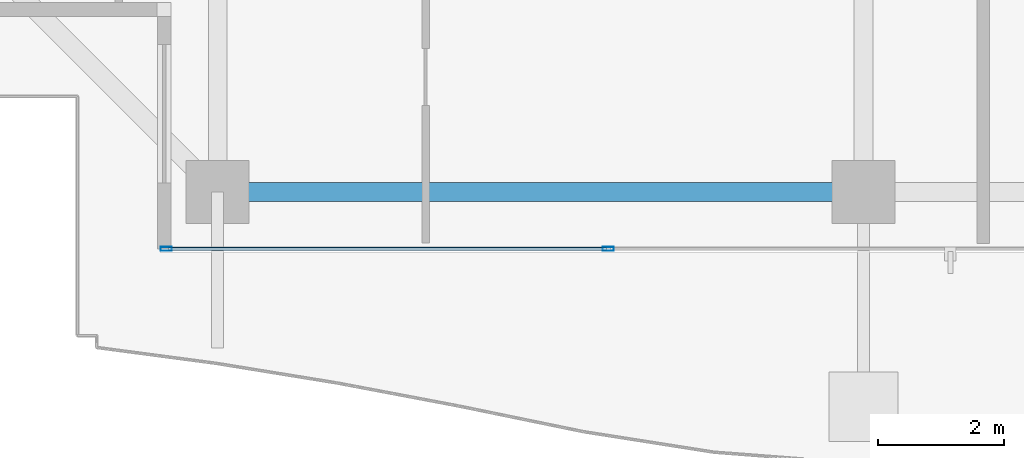
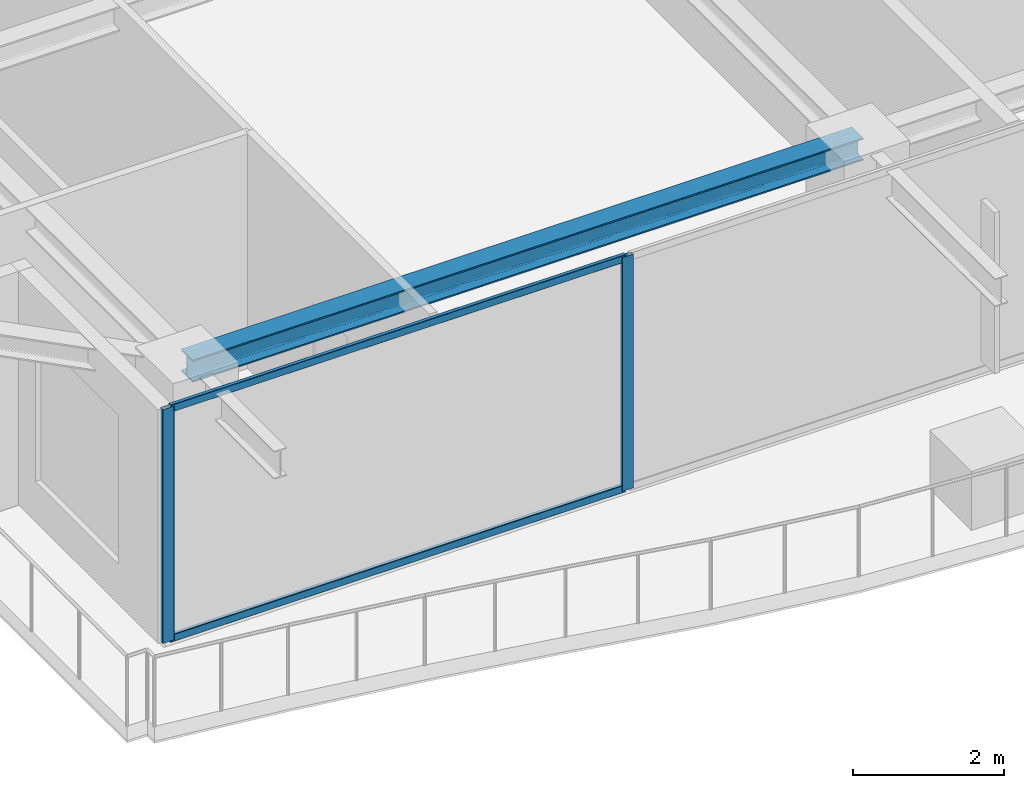
# One storey, part 2 of 41: 4 members, 1 beam, 1 element without a shape of its own.
"""IFC4 building model written with IfcOpenShell, lengths in metres."""

from ifc_helpers import new_model, si_unit, direction, frame, origin, origin_2d, place, context, subcontext, project, spatial, hollow_rectangle, i_section, extrude, source, transform, mapped, material, layer, layer_set, material_profile, profile_set, type_object, element, aggregate, save


model = new_model("IFC4")

# Units and contexts
model_context = context("Model", 3, precision=1e-05, world=origin(), true_north=direction((0.0, 1.0)))
body_context = subcontext(model_context, "Body", "Model", "MODEL_VIEW")
ifc_project = project(units=[si_unit("LENGTHUNIT", "METRE"), si_unit("AREAUNIT", "SQUARE_METRE"), si_unit("VOLUMEUNIT", "CUBIC_METRE"), si_unit("PLANEANGLEUNIT", "RADIAN"), si_unit("MASSUNIT", "GRAM", prefix="KILO")], contexts=[model_context])

# Site, building, storey
site_placement = place(None, origin())
site = spatial("IfcSite", under=ifc_project, at=site_placement, CompositionType="ELEMENT")
building_placement = place(site_placement, origin())
building = spatial("IfcBuilding", under=site, at=building_placement, Name="Serunith Strait Residences", CompositionType="ELEMENT")
storey_placement = place(building_placement, frame((0.0, 0.0, 301.550048828125)))
storey = spatial("IfcBuildingStorey", under=building, at=storey_placement, Name="L75", CompositionType="ELEMENT", Elevation=301.550048828125)

# Beam
ifc_material_1 = material(Name="Steel S355J2", Category="steel")
ifc_material_profile_1 = material_profile(ifc_material_1, i_section(OverallWidth=0.300048828125, OverallDepth=0.360107421875, WebThickness=0.012451171875, FlangeThickness=0.0224609375, FilletRadius=0.027099609375, at=origin_2d()), Name="HEB 360")
ifc_profile_set_1 = profile_set([ifc_material_profile_1], Name="Steel S355J2")
beam_type = type_object("IfcBeamType", Name="BM-HEB360", PredefinedType="BEAM", material=ifc_profile_set_1)
shared_shape_1 = source(origin(), body_context, "Body", "SweptSolid", [
    extrude(i_section(OverallWidth=0.300048828125, OverallDepth=0.360107421875, WebThickness=0.012451171875, FlangeThickness=0.0224609375, FilletRadius=0.027099609375, at=origin_2d()), origin(), (0.0, 0.0, 1.0), 10.25),
])
beam_placement = place(storey_placement, frame((17.64990234375, 3.300048828125, 3.60693359375), z_axis=(1.0, 0.0, 0.0), x_axis=(0.0, 1.0, 0.0)))
element("IfcBeam", 1, at=beam_placement, inside=storey, type_object=beam_type, Name="L75 Perimeter Ring Beam 01", PredefinedType="BEAM", context=body_context, shape_type="MappedRepresentation", body=[
    mapped(shared_shape_1, transform((0.0, 0.0, 0.0), scale=1.0)),
])

# Curtain wall, members
ifc_material_2 = material(Name="Brushed Stainless-Silver Aluminium", Category="aluminium")
ifc_layer = layer(ifc_material_2, 0.199951171875, Name="Brushed Stainless-Silver Aluminium")
ifc_layer_set = layer_set([ifc_layer], Name="Brushed Stainless-Silver Aluminium")
curtain_wall_type = type_object("IfcCurtainWallType", Name="CW-SYS5", PredefinedType="NOTDEFINED", material=ifc_layer_set)
curtain_wall_placement = place(storey_placement, origin())
curtain_wall = element("IfcCurtainWall", 2, at=curtain_wall_placement, inside=storey, type_object=curtain_wall_type, Name="L75 S Unitised Fritted Curtain Wall", PredefinedType="NOTDEFINED")
ifc_material_profile_2 = material_profile(ifc_material_2, hollow_rectangle(XDim=0.06005859375, YDim=0.1201171875, WallThickness=0.00341796875, InnerFilletRadius=0.00537109375, OuterFilletRadius=0.0087890625, at=origin_2d()), Name="ALU 120x60x3.5")
ifc_profile_set_2 = profile_set([ifc_material_profile_2], Name="Brushed Stainless-Silver Aluminium")
member_type_1 = type_object("IfcMemberType", Name="CW-SYS5-TRAN", PredefinedType="USERDEFINED", material=ifc_profile_set_2)
shared_shape_2 = source(origin(), body_context, "Body", "SweptSolid", [
    extrude(hollow_rectangle(XDim=0.06005859375, YDim=0.1201171875, WallThickness=0.00341796875, InnerFilletRadius=0.00537109375, OuterFilletRadius=0.0087890625, at=origin_2d()), origin(), (0.0, 0.0, 1.0), 6.952392578125),
])
member_1_placement = place(storey_placement, frame((16.864990234375, 2.39990234375, 0.030029296875), z_axis=(1.0, 0.0, 0.0), x_axis=(0.0, 1.0, 0.0)))
member_1 = element("IfcMember", 3, at=member_1_placement, type_object=member_type_1, Name="CW-5 transom 1.1", ObjectType="TRANSOM", PredefinedType="USERDEFINED", context=body_context, shape_type="MappedRepresentation", body=[
    mapped(shared_shape_2, transform((0.0, 0.0, 0.0), scale=1.0)),
])
member_2_placement = place(storey_placement, frame((16.864990234375, 2.39990234375, 3.744873046875), z_axis=(1.0, 0.0, 0.0), x_axis=(0.0, 1.0, 0.0)))
member_2 = element("IfcMember", 4, at=member_2_placement, type_object=member_type_1, Name="CW-5 transom 1.2", ObjectType="TRANSOM", PredefinedType="USERDEFINED", context=body_context, shape_type="MappedRepresentation", body=[
    mapped(shared_shape_2, transform((0.0, 0.0, 0.0), scale=1.0)),
])
ifc_material_profile_3 = material_profile(ifc_material_2, hollow_rectangle(XDim=0.06494140625, YDim=0.179931640625, WallThickness=0.00341796875, InnerFilletRadius=0.00537109375, OuterFilletRadius=0.0087890625, at=origin_2d()), Name="ALU 180x65x3.5")
ifc_profile_set_3 = profile_set([ifc_material_profile_3], Name="Brushed Stainless-Silver Aluminium")
member_type_2 = type_object("IfcMemberType", Name="CW-SYS5-MULL", PredefinedType="MULLION", material=ifc_profile_set_3)
shared_shape_3 = source(origin(), body_context, "Body", "SweptSolid", [
    extrude(hollow_rectangle(XDim=0.06494140625, YDim=0.179931640625, WallThickness=0.00341796875, InnerFilletRadius=0.00537109375, OuterFilletRadius=0.0087890625, at=origin_2d()), origin(), (0.0, 0.0, 1.0), 3.77490234375),
])
member_3_placement = place(storey_placement, frame((16.83251953125, 2.39990234375, 0.0), z_axis=(0.0, 0.0, 1.0), x_axis=(0.0, 1.0, 0.0)))
member_3 = element("IfcMember", 5, at=member_3_placement, type_object=member_type_2, Name="CW-5 mullion 1", PredefinedType="MULLION", context=body_context, shape_type="MappedRepresentation", body=[
    mapped(shared_shape_3, transform((0.0, 0.0, 0.0), scale=1.0)),
])
member_4_placement = place(storey_placement, frame((23.85009765625, 2.39990234375, 0.0), z_axis=(0.0, 0.0, 1.0), x_axis=(0.0, 1.0, 0.0)))
member_4 = element("IfcMember", 6, at=member_4_placement, type_object=member_type_2, Name="CW-5 mullion 2", PredefinedType="MULLION", context=body_context, shape_type="MappedRepresentation", body=[
    mapped(shared_shape_3, transform((0.0, 0.0, 0.0), scale=1.0)),
])
aggregate(curtain_wall, [member_3, member_4, member_1, member_2])

save(model, "model.ifc")
